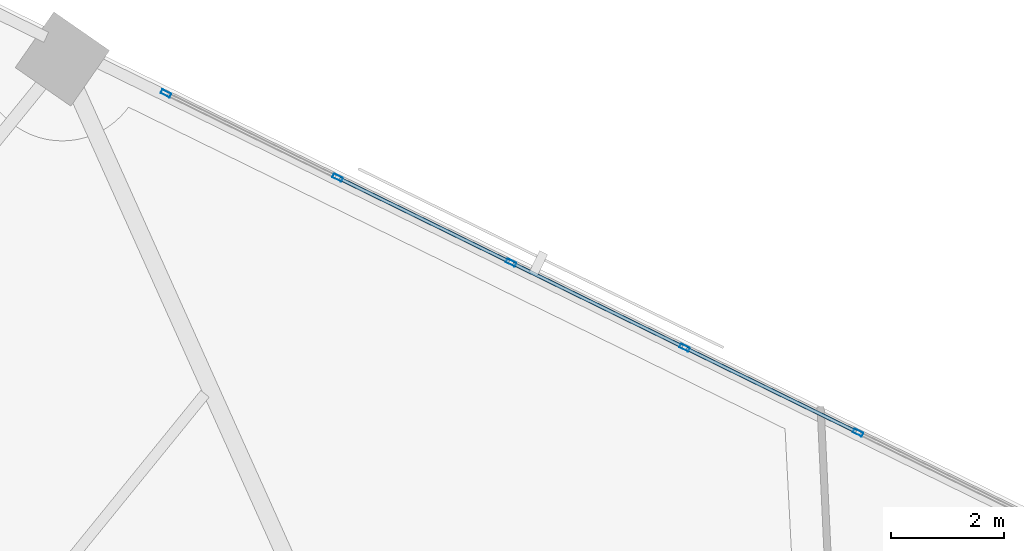
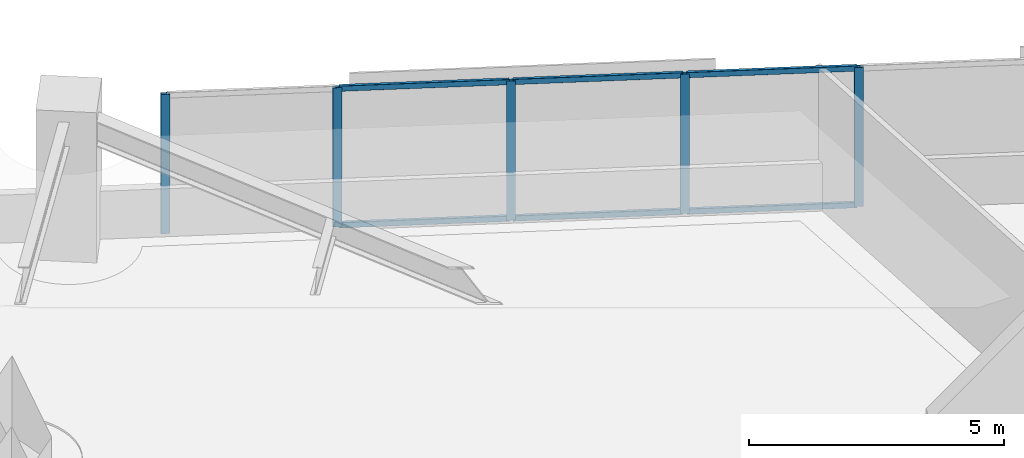
# One storey, part 10 of 18: 11 members, 1 element without a shape of its own.
"""IFC4 building model written with IfcOpenShell, lengths in metres."""

from ifc_helpers import new_model, si_unit, direction, frame, origin, origin_2d, place, context, subcontext, project, spatial, hollow_rectangle, extrude, material, material_profile, profile_set, type_object, element, aggregate, save


model = new_model("IFC4")

# Units and contexts
model_context = context("Model", 3, precision=1e-05, world=origin(), true_north=direction((0.0, 1.0)))
body_context = subcontext(model_context, "Body", "Model", "MODEL_VIEW")
ifc_project = project(units=[si_unit("LENGTHUNIT", "METRE"), si_unit("AREAUNIT", "SQUARE_METRE"), si_unit("VOLUMEUNIT", "CUBIC_METRE"), si_unit("PLANEANGLEUNIT", "RADIAN"), si_unit("MASSUNIT", "GRAM", prefix="KILO")], contexts=[model_context])

# Site, building, storey
site_placement = place(None, origin())
site = spatial("IfcSite", under=ifc_project, at=site_placement, CompositionType="ELEMENT")
building_placement = place(site_placement, origin())
building = spatial("IfcBuilding", under=site, at=building_placement, Name="Narakoshi Arena Tower", CompositionType="ELEMENT")
storey_placement = place(building_placement, frame((0.0, 0.0, 106.5)))
storey = spatial("IfcBuildingStorey", under=building, at=storey_placement, Name="L28", CompositionType="ELEMENT", Elevation=106.5)

# Curtain wall, members
ifc_material = material(Name="Anodised bronze aluminium 6063-T6", Category="aluminium")
curtain_wall_type = type_object("IfcCurtainWallType", Name="CW-HYP-LOW", PredefinedType="NOTDEFINED", material=ifc_material)
curtain_wall_placement = place(storey_placement, origin())
curtain_wall = element("IfcCurtainWall", 1, at=curtain_wall_placement, inside=storey, type_object=curtain_wall_type, Name="L28 Folded Hypotenuse Curtain Wall 2-1", PredefinedType="NOTDEFINED")
ifc_material_profile_1 = material_profile(ifc_material, hollow_rectangle(XDim=0.074951171875, YDim=0.179931640625, WallThickness=0.00390625, OuterFilletRadius=0.0048828125, at=origin_2d()), Name="MUL180x75x4")
ifc_profile_set_1 = profile_set([ifc_material_profile_1], Name="Anodised bronze aluminium 6063-T6")
member_type_1 = type_object("IfcMemberType", Name="MEM-MUL-180", PredefinedType="MULLION", material=ifc_profile_set_1)
member_1_placement = place(storey_placement, frame((78.41259765625, 67.01611328125, 0.0), z_axis=(0.0, 0.0, 1.0), x_axis=(-0.440004510198, -0.89799556291, 0.0)))
member_1 = element("IfcMember", 2, at=member_1_placement, type_object=member_type_1, Name="CW-01 mullion 4", PredefinedType="MULLION", context=body_context, shape_type="SweptSolid", body=[
    extrude(hollow_rectangle(XDim=0.074951171875, YDim=0.179931640625, WallThickness=0.00390625, OuterFilletRadius=0.0048828125, at=origin_2d()), origin(), (0.0, 0.0, 1.0), 3.340087890625),
])
member_2_placement = place(storey_placement, frame((75.33935546875, 68.52197265625, 0.0), z_axis=(0.0, 0.0, 1.0), x_axis=(-0.440004510198, -0.89799556291, 0.0)))
member_2 = element("IfcMember", 3, at=member_2_placement, type_object=member_type_1, Name="CW-01 mullion 5", PredefinedType="MULLION", context=body_context, shape_type="SweptSolid", body=[
    extrude(hollow_rectangle(XDim=0.074951171875, YDim=0.179931640625, WallThickness=0.00390625, OuterFilletRadius=0.0048828125, at=origin_2d()), origin(), (0.0, 0.0, 1.0), 3.340087890625),
])
member_3_placement = place(storey_placement, frame((72.26611328125, 70.028076171875, 0.0), z_axis=(0.0, 0.0, 1.0), x_axis=(-0.440004510198, -0.89799556291, 0.0)))
member_3 = element("IfcMember", 4, at=member_3_placement, type_object=member_type_1, Name="CW-01 mullion 6", PredefinedType="MULLION", context=body_context, shape_type="SweptSolid", body=[
    extrude(hollow_rectangle(XDim=0.074951171875, YDim=0.179931640625, WallThickness=0.00390625, OuterFilletRadius=0.0048828125, at=origin_2d()), origin(), (0.0, 0.0, 1.0), 3.340087890625),
])
member_4_placement = place(storey_placement, frame((69.19287109375, 71.533935546875, 0.0), z_axis=(0.0, 0.0, 1.0), x_axis=(-0.440004510198, -0.89799556291, 0.0)))
member_4 = element("IfcMember", 5, at=member_4_placement, type_object=member_type_1, Name="CW-01 mullion 7", PredefinedType="MULLION", context=body_context, shape_type="SweptSolid", body=[
    extrude(hollow_rectangle(XDim=0.074951171875, YDim=0.179931640625, WallThickness=0.00390625, OuterFilletRadius=0.0048828125, at=origin_2d()), origin(), (0.0, 0.0, 1.0), 3.340087890625),
])
member_5_placement = place(storey_placement, frame((66.153076171875, 73.023193359375, 0.0), z_axis=(0.0, 0.0, 1.0), x_axis=(-0.440004510198, -0.89799556291, 0.0)))
member_5 = element("IfcMember", 6, at=member_5_placement, type_object=member_type_1, Name="CW-01 mullion 8", PredefinedType="MULLION", context=body_context, shape_type="SweptSolid", body=[
    extrude(hollow_rectangle(XDim=0.074951171875, YDim=0.179931640625, WallThickness=0.00390625, OuterFilletRadius=0.0048828125, at=origin_2d()), origin(), (0.0, 0.0, 1.0), 3.340087890625),
])
ifc_material_profile_2 = material_profile(ifc_material, hollow_rectangle(XDim=0.06494140625, YDim=0.1298828125, WallThickness=0.00390625, OuterFilletRadius=0.0048828125, at=origin_2d()), Name="TRN130x65x4")
ifc_profile_set_2 = profile_set([ifc_material_profile_2], Name="Anodised bronze aluminium 6063-T6")
member_type_2 = type_object("IfcMemberType", Name="MEM-TRN-130", PredefinedType="USERDEFINED", material=ifc_profile_set_2)
member_6_placement = place(storey_placement, frame((78.37890625, 67.03271484375, 0.032470703125), z_axis=(-0.897986843255, 0.440022305503, 0.0), x_axis=(-0.440022305503, -0.897986843255, 0.0)))
member_6 = element("IfcMember", 7, at=member_6_placement, type_object=member_type_2, Name="CW-01 transom 4.1", ObjectType="TRANSOM", PredefinedType="USERDEFINED", context=body_context, shape_type="SweptSolid", body=[
    extrude(hollow_rectangle(XDim=0.06494140625, YDim=0.1298828125, WallThickness=0.00390625, OuterFilletRadius=0.0048828125, at=origin_2d()), origin(), (0.0, 0.0, 1.0), 3.347412109375),
])
member_7_placement = place(storey_placement, frame((78.37890625, 67.03271484375, 3.3076171875), z_axis=(-0.897986843255, 0.440022305503, 0.0), x_axis=(-0.440022305503, -0.897986843255, 0.0)))
member_7 = element("IfcMember", 8, at=member_7_placement, type_object=member_type_2, Name="CW-01 transom 4.2", ObjectType="TRANSOM", PredefinedType="USERDEFINED", context=body_context, shape_type="SweptSolid", body=[
    extrude(hollow_rectangle(XDim=0.06494140625, YDim=0.1298828125, WallThickness=0.00390625, OuterFilletRadius=0.0048828125, at=origin_2d()), origin(), (0.0, 0.0, 1.0), 3.347412109375),
])
member_8_placement = place(storey_placement, frame((75.3056640625, 68.53857421875, 0.032470703125), z_axis=(-0.897986843255, 0.440022305503, 0.0), x_axis=(-0.440022305503, -0.897986843255, 0.0)))
member_8 = element("IfcMember", 9, at=member_8_placement, type_object=member_type_2, Name="CW-01 transom 5.1", ObjectType="TRANSOM", PredefinedType="USERDEFINED", context=body_context, shape_type="SweptSolid", body=[
    extrude(hollow_rectangle(XDim=0.06494140625, YDim=0.1298828125, WallThickness=0.00390625, OuterFilletRadius=0.0048828125, at=origin_2d()), origin(), (0.0, 0.0, 1.0), 3.347412109375),
])
member_9_placement = place(storey_placement, frame((75.3056640625, 68.53857421875, 3.3076171875), z_axis=(-0.897986843255, 0.440022305503, 0.0), x_axis=(-0.440022305503, -0.897986843255, 0.0)))
member_9 = element("IfcMember", 10, at=member_9_placement, type_object=member_type_2, Name="CW-01 transom 5.2", ObjectType="TRANSOM", PredefinedType="USERDEFINED", context=body_context, shape_type="SweptSolid", body=[
    extrude(hollow_rectangle(XDim=0.06494140625, YDim=0.1298828125, WallThickness=0.00390625, OuterFilletRadius=0.0048828125, at=origin_2d()), origin(), (0.0, 0.0, 1.0), 3.347412109375),
])
member_10_placement = place(storey_placement, frame((72.232421875, 70.04443359375, 0.032470703125), z_axis=(-0.897986843255, 0.440022305503, 0.0), x_axis=(-0.440022305503, -0.897986843255, 0.0)))
member_10 = element("IfcMember", 11, at=member_10_placement, type_object=member_type_2, Name="CW-01 transom 6.1", ObjectType="TRANSOM", PredefinedType="USERDEFINED", context=body_context, shape_type="SweptSolid", body=[
    extrude(hollow_rectangle(XDim=0.06494140625, YDim=0.1298828125, WallThickness=0.00390625, OuterFilletRadius=0.0048828125, at=origin_2d()), origin(), (0.0, 0.0, 1.0), 3.347412109375),
])
member_11_placement = place(storey_placement, frame((72.232421875, 70.04443359375, 3.3076171875), z_axis=(-0.897986843255, 0.440022305503, 0.0), x_axis=(-0.440022305503, -0.897986843255, 0.0)))
member_11 = element("IfcMember", 12, at=member_11_placement, type_object=member_type_2, Name="CW-01 transom 6.2", ObjectType="TRANSOM", PredefinedType="USERDEFINED", context=body_context, shape_type="SweptSolid", body=[
    extrude(hollow_rectangle(XDim=0.06494140625, YDim=0.1298828125, WallThickness=0.00390625, OuterFilletRadius=0.0048828125, at=origin_2d()), origin(), (0.0, 0.0, 1.0), 3.347412109375),
])
aggregate(curtain_wall, [member_1, member_2, member_3, member_4, member_5, member_6, member_7, member_8, member_9, member_10, member_11])

save(model, "model.ifc")
